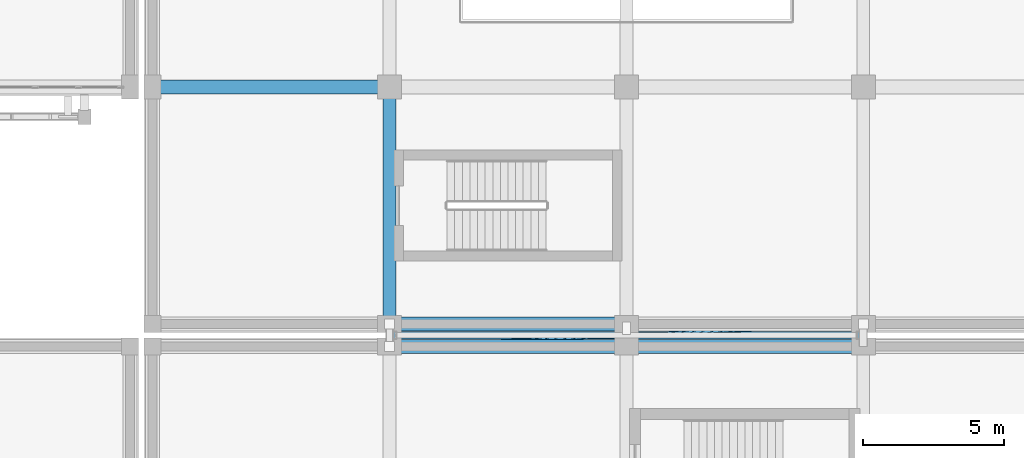
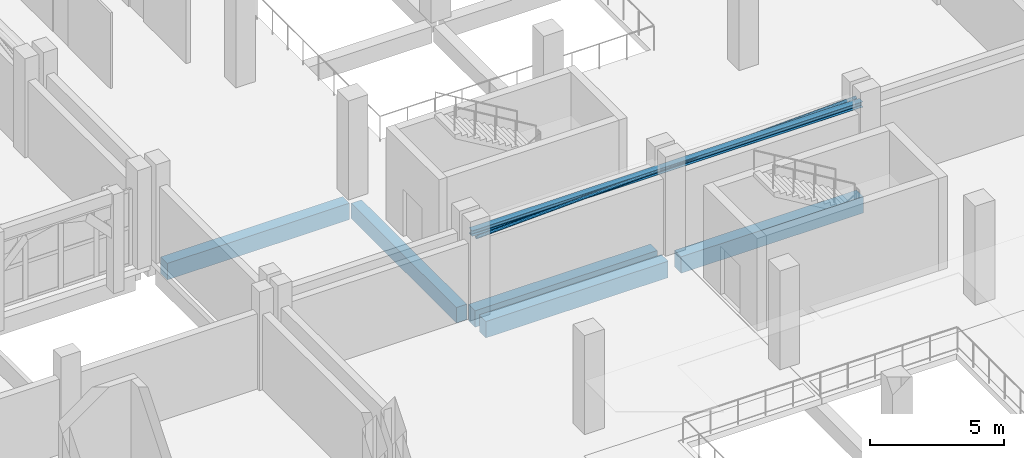
# One storey, part 43 of 137: 6 beams, 1 member.
"""IFC4 building model written with IfcOpenShell, lengths in metres."""

import ifcopenshell
import ifcopenshell.guid

model = None  # the IFC model being written
_history = None  # IfcOwnerHistory: only IFC2X3 demands one
_inside = {}  # id of a spatial element -> (the spatial element, [elements in it])
_under = {}  # id of a project, library or spatial element -> (it, [spatial elements below it])
_declared = {}  # id of a project -> (the project, [libraries it declares])
_typed = {}  # id of a type object -> (the type object, [elements of that type])
_made_of = {}  # id of a material, layer set ... -> (it, [elements and type objects made of it])


def new_model(schema):
    """Start an empty IFC model of exactly this schema.

    Asked for "IFC4X3", IfcOpenShell would pick the latest addendum, in which some entities
    have other attributes; the version numbers below select the first issue.
    IFC2X3 requires an IfcOwnerHistory on every rooted entity: one is made here for all.
    """
    global model, _history
    if schema == "IFC4X3":
        model = ifcopenshell.file(schema_version=(4, 3, 0, 0))
    else:
        model = ifcopenshell.file(schema=schema)
    _inside.clear()
    _under.clear()
    _declared.clear()
    _typed.clear()
    _made_of.clear()
    _history = None
    if model.schema == "IFC2X3":
        org = make("IfcOrganization", Name="unknown")
        user = make(
            "IfcPersonAndOrganization",
            ThePerson=make("IfcPerson", FamilyName="unknown"),
            TheOrganization=org,
        )
        app = make(
            "IfcApplication",
            ApplicationDeveloper=org,
            Version="unknown",
            ApplicationFullName="unknown",
            ApplicationIdentifier="unknown",
        )
        _history = make(
            "IfcOwnerHistory",
            OwningUser=user,
            OwningApplication=app,
            ChangeAction="ADDED",
            CreationDate=0,
        )
    return model


def make(cls, **values):
    """One entity of the class cls with the attributes given. An attribute that is None is left unset."""
    return model.create_entity(
        cls, **{name: value for name, value in values.items() if value is not None}
    )


def rooted(cls, **values):
    """An entity with a GlobalId (a new one), such as an element, a storey or a relation."""
    return make(cls, GlobalId=ifcopenshell.guid.new(), OwnerHistory=_history, **values)


def si_unit(unit_type, name, prefix=None):
    """IfcSIUnit, for example si_unit("LENGTHUNIT", "METRE", prefix="MILLI")."""
    return make("IfcSIUnit", UnitType=unit_type, Prefix=prefix, Name=name)


def assignment(units):
    """IfcUnitAssignment: the units of a project."""
    return None if units is None else make("IfcUnitAssignment", Units=units)


def point(xyz):
    """IfcCartesianPoint."""
    return None if xyz is None else make("IfcCartesianPoint", Coordinates=xyz)


def direction(xyz):
    """IfcDirection."""
    return None if xyz is None else make("IfcDirection", DirectionRatios=xyz)


def frame(location, z_axis=None, x_axis=None):
    """IfcAxis2Placement3D, a coordinate frame: its origin and axes. An axis left out is left unset."""
    return make(
        "IfcAxis2Placement3D",
        Location=point(location),
        Axis=direction(z_axis),
        RefDirection=direction(x_axis),
    )


def frame_2d(location, x_axis=None):
    """IfcAxis2Placement2D, a coordinate frame in the plane: its origin and x axis."""
    return make(
        "IfcAxis2Placement2D", Location=point(location), RefDirection=direction(x_axis)
    )


def origin():
    """The frame at (0, 0, 0) with its axes left unset."""
    return frame((0.0, 0.0, 0.0))


def origin_2d():
    """The frame at (0, 0) in the plane with its x axis left unset."""
    return frame_2d((0.0, 0.0))


def place(relative_to, where):
    """IfcLocalPlacement: puts the frame where relative to a parent placement (None: the world)."""
    return make(
        "IfcLocalPlacement", PlacementRelTo=relative_to, RelativePlacement=where
    )


def context(
    kind, dimensions, precision=None, world=None, true_north=None, identifier=None
):
    """IfcGeometricRepresentationContext, for example the 3D "Model" context."""
    return make(
        "IfcGeometricRepresentationContext",
        ContextIdentifier=identifier,
        ContextType=kind,
        CoordinateSpaceDimension=dimensions,
        Precision=precision,
        WorldCoordinateSystem=world,
        TrueNorth=true_north,
    )


def subcontext(parent, identifier, kind, view, scale=None):
    """IfcGeometricRepresentationSubContext, for example "Body" below "Model"."""
    return make(
        "IfcGeometricRepresentationSubContext",
        ContextIdentifier=identifier,
        ContextType=kind,
        ParentContext=parent,
        TargetScale=scale,
        TargetView=view,
    )


def project(units=None, contexts=None):
    """IfcProject with its units and contexts."""
    return rooted(
        "IfcProject",
        Name="project",
        RepresentationContexts=contexts,
        UnitsInContext=assignment(units),
    )


def spatial(cls, under=None, at=None, **own):
    """A site, building, storey or space (cls), placed at a placement, below another one or the project."""
    s = rooted(cls, ObjectPlacement=at, **own)
    if under is not None:
        _under.setdefault(under.id(), (under, []))[1].append(s)
    return s


def profile(cls, at=None, kind="AREA", **sizes):
    """A parametric profile (cls). Its sizes go by their IFC names, for example OverallWidth=200.0."""
    return make(cls, ProfileType=kind, Position=at, **sizes)


def rectangle(**sizes):
    """IfcRectangleProfileDef."""
    return profile("IfcRectangleProfileDef", **sizes)


def hollow_circle(**sizes):
    """IfcCircleHollowProfileDef."""
    return profile("IfcCircleHollowProfileDef", **sizes)


def i_section(**sizes):
    """IfcIShapeProfileDef."""
    return profile("IfcIShapeProfileDef", **sizes)


def extrude(swept, where, along, depth):
    """IfcExtrudedAreaSolid: the profile swept, set in the frame where, extruded along a direction by depth."""
    return make(
        "IfcExtrudedAreaSolid",
        SweptArea=swept,
        Position=where,
        ExtrudedDirection=direction(along),
        Depth=depth,
    )


def shape(context_of_items, identifier, shape_type, items):
    """IfcShapeRepresentation: the items that make up one representation, for example the "Body"."""
    return make(
        "IfcShapeRepresentation",
        ContextOfItems=context_of_items,
        RepresentationIdentifier=identifier,
        RepresentationType=shape_type,
        Items=items,
    )


def material(Name=None, Category=None):
    """IfcMaterial."""
    return make("IfcMaterial", Name=Name, Category=Category)


def material_profile(
    of_material, cross_section, Name=None, Category=None, Priority=None
):
    """IfcMaterialProfile: a cross section and its material."""
    return make(
        "IfcMaterialProfile",
        Name=Name,
        Material=of_material,
        Profile=cross_section,
        Priority=Priority,
        Category=Category,
    )


def profile_set(profiles, Name=None, composite=None):
    """IfcMaterialProfileSet."""
    return make(
        "IfcMaterialProfileSet",
        Name=Name,
        MaterialProfiles=profiles,
        CompositeProfile=composite,
    )


def made_of(thing, what):
    """Note that an element or type object is made of a material, layer set ...; save() writes the relation."""
    if what is not None:
        _made_of.setdefault(what.id(), (what, []))[1].append(thing)
    return thing


def type_object(cls, material=None, **own):
    """A type object (cls), such as IfcWallType, which elements share."""
    return made_of(rooted(cls, **own), material)


def element(
    cls,
    number,
    at=None,
    inside=None,
    cuts=None,
    type_object=None,
    material=None,
    context=None,
    identifier="Body",
    shape_type=None,
    held_by="IfcProductDefinitionShape",
    body=None,
    shapes=None,
    **own,
):
    """One element of the class cls, such as IfcWall. Its Tag is "e" and its number.

    at: its placement. inside: the storey or other place that contains it. cuts: it is an
    opening in that element (IfcRelVoidsElement). A single representation is given by context,
    identifier, shape_type and body (its items); several are given by shapes. held_by: the class
    of the entity that holds the representations. save() writes the other relations.
    """
    e = rooted(cls, Tag="e%d" % number, ObjectPlacement=at, **own)
    if body is not None:
        shapes = [shape(context, identifier, shape_type, body)]
    if shapes is not None:
        e.Representation = make(held_by, Representations=shapes)
    if inside is not None:
        _inside.setdefault(inside.id(), (inside, []))[1].append(e)
    if cuts is not None:
        rooted(
            "IfcRelVoidsElement", RelatingBuildingElement=cuts, RelatedOpeningElement=e
        )
    if type_object is not None:
        _typed.setdefault(type_object.id(), (type_object, []))[1].append(e)
    return made_of(e, material)


def aggregate(whole, parts):
    """IfcRelAggregates: a whole, such as a stair, and the parts it consists of."""
    return rooted("IfcRelAggregates", RelatingObject=whole, RelatedObjects=parts)


def save(model, path):
    """Write the relations noted so far, then the file.

    IfcRelAggregates (storeys below a building ...), IfcRelContainedInSpatialStructure (elements
    in a storey), IfcRelDefinesByType, IfcRelAssociatesMaterial and IfcRelDeclares: one each for
    every whole, place, type object, material and project.
    """
    for whole, parts in _under.values():
        aggregate(whole, parts)
    for where, things in _inside.values():
        rooted(
            "IfcRelContainedInSpatialStructure",
            RelatedElements=things,
            RelatingStructure=where,
        )
    for kind, things in _typed.values():
        rooted("IfcRelDefinesByType", RelatedObjects=things, RelatingType=kind)
    for what, things in _made_of.values():
        rooted("IfcRelAssociatesMaterial", RelatedObjects=things, RelatingMaterial=what)
    for by, libraries in _declared.values():
        rooted("IfcRelDeclares", RelatingContext=by, RelatedDefinitions=libraries)
    model.write(path)


model = new_model("IFC4")

# Units and contexts
model_context = context("Model", 3, precision=1e-05, world=origin(), true_north=direction((0.0, 1.0)))
body_context = subcontext(model_context, "Body", "Model", "MODEL_VIEW")
ifc_project = project(units=[si_unit("LENGTHUNIT", "METRE"), si_unit("AREAUNIT", "SQUARE_METRE"), si_unit("VOLUMEUNIT", "CUBIC_METRE"), si_unit("PLANEANGLEUNIT", "RADIAN"), si_unit("MASSUNIT", "GRAM", prefix="KILO")], contexts=[model_context])

# Site, building, storey
site_placement = place(None, origin())
site = spatial("IfcSite", under=ifc_project, at=site_placement, CompositionType="ELEMENT")
building_placement = place(site_placement, origin())
building = spatial("IfcBuilding", under=site, at=building_placement, Name="Xazarin Passage Department Store", CompositionType="ELEMENT")
storey_placement = place(building_placement, frame((0.0, 0.0, 5.39990234375)))
storey = spatial("IfcBuildingStorey", under=building, at=storey_placement, Name="L01", CompositionType="ELEMENT", Elevation=5.39990234375)

# Beams
ifc_material_1 = material(Name="Steel S355", Category="steel")
ifc_material_profile_1 = material_profile(ifc_material_1, i_section(OverallWidth=0.260009765625, OverallDepth=0.25, WebThickness=0.007568359375, FlangeThickness=0.012451171875, FilletRadius=0.02392578125, at=origin_2d()), Name="HEA 260")
ifc_profile_set_1 = profile_set([ifc_material_profile_1], Name="Steel S355")
beam_type_1 = type_object("IfcBeamType", Name="STR-BM-CAN260", PredefinedType="BEAM", material=ifc_profile_set_1)
beam_1_placement = place(storey_placement, frame((76.39990234375, 50.800048828125, 3.47509765625), z_axis=(1.0, 0.0, 0.0), x_axis=(0.0, 1.0, 0.0)))
element("IfcBeam", 1, at=beam_1_placement, inside=storey, type_object=beam_type_1, Name="L01 BR-V2S-V2N Bridge Roof Mid Beam", PredefinedType="BEAM", context=body_context, shape_type="SweptSolid", body=[
    extrude(i_section(OverallWidth=0.260009765625, OverallDepth=0.25, WebThickness=0.007568359375, FlangeThickness=0.012451171875, FilletRadius=0.02392578125, at=origin_2d()), origin(), (0.0, 0.0, 1.0), 16.800048828125),
])
ifc_material_2 = material(Name="Concrete C35/45", Category="concrete")
ifc_material_profile_2 = material_profile(ifc_material_2, rectangle(XDim=0.449951171875, YDim=0.699951171875, at=origin_2d()), Name="RC 450x700")
ifc_profile_set_2 = profile_set([ifc_material_profile_2], Name="Concrete C35/45")
beam_type_2 = type_object("IfcBeamType", Name="STR-BM-G450x700", PredefinedType="BEAM", material=ifc_profile_set_2)
beam_2_placement = place(storey_placement, frame((76.39990234375, 51.47998046875, -0.64990234375), z_axis=(0.0, 1.0, 0.0), x_axis=(-1.0, 0.0, 0.0)))
element("IfcBeam", 2, at=beam_2_placement, inside=storey, type_object=beam_type_2, Name="L01 Grid Beam 11/H-J", PredefinedType="BEAM", context=body_context, shape_type="SweptSolid", body=[
    extrude(rectangle(XDim=0.449951171875, YDim=0.699951171875, at=origin_2d()), origin(), (0.0, 0.0, 1.0), 7.840087890625),
])
ifc_material_profile_3 = material_profile(ifc_material_2, rectangle(XDim=0.5, YDim=0.75, at=origin_2d()), Name="RC 500x750")
ifc_profile_set_3 = profile_set([ifc_material_profile_3], Name="Concrete C35/45")
beam_type_3 = type_object("IfcBeamType", Name="STR-BM-SP500x750", PredefinedType="SPANDREL", material=ifc_profile_set_3)
beam_3_placement = place(storey_placement, frame((76.679931640625, 50.39990234375, -0.6748046875), z_axis=(1.0, 0.0, 0.0), x_axis=(0.0, 1.0, 0.0)))
element("IfcBeam", 3, at=beam_3_placement, inside=storey, type_object=beam_type_3, Name="L01 Grid Beam G/11-12", PredefinedType="SPANDREL", context=body_context, shape_type="SweptSolid", body=[
    extrude(rectangle(XDim=0.5, YDim=0.75, at=origin_2d()), origin(), (0.0, 0.0, 1.0), 7.840087890625),
])
beam_4_placement = place(storey_placement, frame((85.080078125, 50.39990234375, -0.6748046875), z_axis=(1.0, 0.0, 0.0), x_axis=(0.0, 1.0, 0.0)))
element("IfcBeam", 4, at=beam_4_placement, inside=storey, type_object=beam_type_3, Name="L01 Grid Beam G/12-13", PredefinedType="SPANDREL", context=body_context, shape_type="SweptSolid", body=[
    extrude(rectangle(XDim=0.5, YDim=0.75, at=origin_2d()), origin(), (0.0, 0.0, 1.0), 7.83984375),
])
for number, where, z_axis, x_axis, name in (
    (5, (76.679931640625, 51.199951171875, -0.6748046875), (1.0, 0.0, 0.0), (0.0, 1.0, 0.0), "L01 Grid Beam H/11-12"),
    (6, (68.280029296875, 59.60009765625, -0.6748046875), (1.0, 0.0, 0.0), (0.0, 1.0, 0.0), "L01 Grid Beam J/10-11"),
):
    element("IfcBeam", number, at=place(storey_placement, frame(where, z_axis=z_axis, x_axis=x_axis)), inside=storey, type_object=beam_type_3, Name=name, PredefinedType="SPANDREL", context=body_context, shape_type="SweptSolid", body=[
        extrude(rectangle(XDim=0.5, YDim=0.75, at=origin_2d()), origin(), (0.0, 0.0, 1.0), 7.840087890625),
    ])

# Member
ifc_material_profile_4 = material_profile(ifc_material_1, hollow_circle(Radius=0.06982421875, WallThickness=0.008056640625, at=origin_2d()), Name="CHS 139.7x8")
ifc_profile_set_4 = profile_set([ifc_material_profile_4], Name="Steel S355")
member_type = type_object("IfcMemberType", Name="STR-MEM-BR140", PredefinedType="BRACE", material=ifc_profile_set_4)
member_placement = place(storey_placement, frame((76.39990234375, 50.39990234375, 3.47509765625), z_axis=(0.998868006357, 0.047567908053, 0.0), x_axis=(-0.047567908053, 0.998868006357, 0.0)))
element("IfcMember", 7, at=member_placement, inside=storey, type_object=member_type, Name="L01 BR-V2S-V2N Bridge Roof Wind Diagonal", PredefinedType="BRACE", context=body_context, shape_type="SweptSolid", body=[
    extrude(hollow_circle(Radius=0.06982421875, WallThickness=0.008056640625, at=origin_2d()), origin(), (0.0, 0.0, 1.0), 16.819091796875),
])

save(model, "model.ifc")
